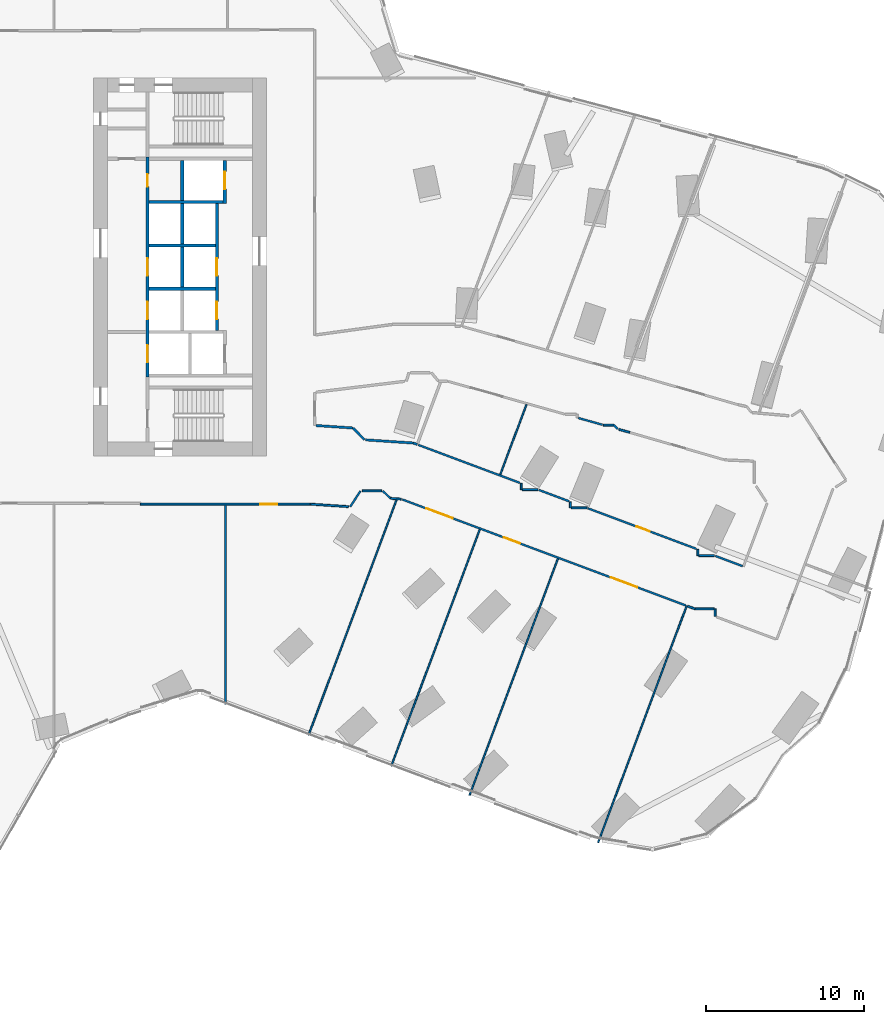
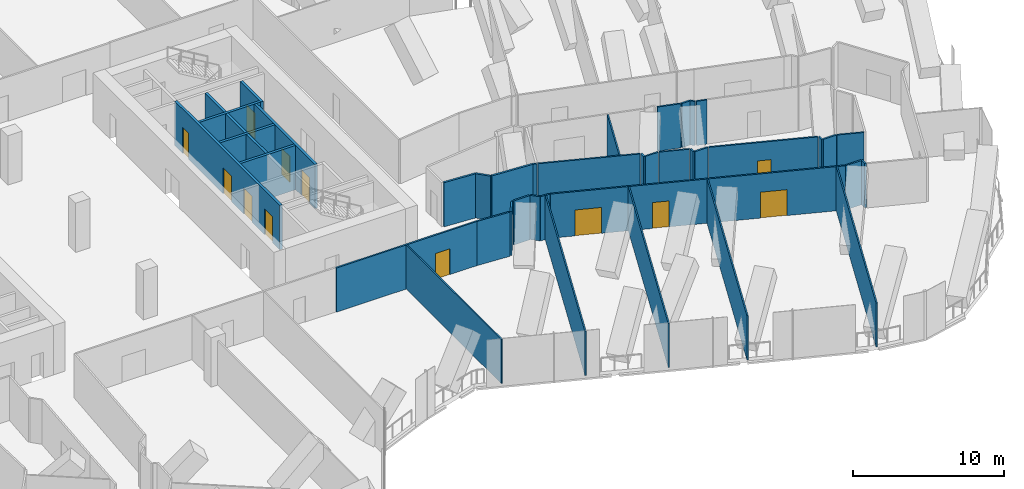
# One storey, part 28 of 34: 43 walls, 12 doors, 12 openings.
"""IFC4 building model written with IfcOpenShell, lengths in metres."""

from ifc_helpers import new_model, si_unit, direction, frame, frame_2d, origin, place, context, subcontext, project, spatial, rectangle, extrude, material, layer, layer_set, type_object, element, fill, save


model = new_model("IFC4")

# Units and contexts
model_context = context("Model", 3, precision=1e-05, world=origin(), true_north=direction((0.0, 1.0)))
body_context = subcontext(model_context, "Body", "Model", "MODEL_VIEW")
ifc_project = project(units=[si_unit("LENGTHUNIT", "METRE"), si_unit("AREAUNIT", "SQUARE_METRE"), si_unit("VOLUMEUNIT", "CUBIC_METRE"), si_unit("PLANEANGLEUNIT", "RADIAN"), si_unit("MASSUNIT", "GRAM", prefix="KILO")], contexts=[model_context])

# Site, building, storey
site_placement = place(None, origin())
site = spatial("IfcSite", under=ifc_project, at=site_placement, CompositionType="ELEMENT")
building_placement = place(site_placement, origin())
building = spatial("IfcBuilding", under=site, at=building_placement, Name="Orlundy Tower", CompositionType="ELEMENT")
storey_placement = place(building_placement, frame((0.0, 0.0, 98.199951171875)))
storey = spatial("IfcBuildingStorey", under=building, at=storey_placement, Name="L24", CompositionType="ELEMENT", Elevation=98.199951171875)

# Walls
ifc_material_1 = material(Name="Gypsum board partition")
ifc_layer_1 = layer(ifc_material_1, 0.10009765625)
ifc_layer_set_1 = layer_set([ifc_layer_1], Name="Floor partition 100")
wall_type_1 = type_object("IfcWallType", Name="Floor partition 100", PredefinedType="PARTITIONING", material=ifc_layer_set_1)
wall_1_placement = place(storey_placement, frame((40.0419921875, -36.531982421875, 0.0), z_axis=(0.0, 0.0, 1.0), x_axis=(0.350194472213, 0.936677015642, 0.0)))
element("IfcWall", 1, at=wall_1_placement, inside=storey, type_object=wall_type_1, Name="wall-int-L24-105", PredefinedType="PARTITIONING", context=body_context, shape_type="SweptSolid", body=[
    extrude(rectangle(XDim=16.045166015625, YDim=0.10009765625, at=frame_2d((8.0224609375, 0.0))), origin(), (0.0, 0.0, 1.0), 3.580078125),
])
for number, where, z_axis, x_axis, name in (
    (2, (31.8740234375, -33.535888671875, 0.0), (0.0, 0.0, 1.0), (0.350198982561, 0.93667532935, 0.0), "wall-int-L24-107"),
    (3, (26.909912109375, -31.679931640625, 0.0), (0.0, 0.0, 1.0), (0.350198982561, 0.93667532935, 0.0), "wall-int-L24-109"),
):
    element("IfcWall", number, at=place(storey_placement, frame(where, z_axis=z_axis, x_axis=x_axis)), inside=storey, type_object=wall_type_1, Name=name, PredefinedType="PARTITIONING", context=body_context, shape_type="SweptSolid", body=[
        extrude(rectangle(XDim=16.03662109375, YDim=0.10009765625, at=frame_2d((8.018310546875, 0.0))), origin(), (0.0, 0.0, 1.0), 3.580078125),
    ])
wall_2_placement = place(storey_placement, frame((33.8310546875, -13.1689453125, 0.0), z_axis=(0.0, 0.0, 1.0), x_axis=(0.35005805829, 0.936728005253, 0.0)))
element("IfcWall", 4, at=wall_2_placement, inside=storey, type_object=wall_type_1, Name="wall-int-L24-110", PredefinedType="PARTITIONING", context=body_context, shape_type="SweptSolid", body=[
    extrude(rectangle(XDim=4.747314453125, YDim=0.10009765625, at=frame_2d((2.37353515625, 0.0))), origin(), (0.0, 0.0, 1.0), 3.580078125),
])
wall_3_placement = place(storey_placement, frame((21.657958984375, -29.717041015625, 0.0), z_axis=(0.0, 0.0, 1.0), x_axis=(0.350179979245, 0.936682433985, 0.0)))
element("IfcWall", 5, at=wall_3_placement, inside=storey, type_object=wall_type_1, Name="wall-int-L24-112", PredefinedType="PARTITIONING", context=body_context, shape_type="SweptSolid", body=[
    extrude(rectangle(XDim=15.9404296875, YDim=0.10009765625, at=frame_2d((7.97021484375, 0.0))), origin(), (0.0, 0.0, 1.0), 3.580078125),
])
wall_4_placement = place(storey_placement, frame((16.385986328125, -27.74609375, 0.0), z_axis=(0.0, 0.0, 1.0), x_axis=(0.0, 1.0, 0.0)))
element("IfcWall", 6, at=wall_4_placement, inside=storey, type_object=wall_type_1, Name="wall-int-L24-136", PredefinedType="PARTITIONING", context=body_context, shape_type="SweptSolid", body=[
    extrude(rectangle(XDim=12.632080078125, YDim=0.10009765625, at=frame_2d((6.31591796875, 0.0))), origin(), (0.0, 0.0, 1.0), 3.580078125),
])
ifc_material_2 = material(Name="Gypsum board partition, double layer")
ifc_layer_2 = layer(ifc_material_2, 0.125)
ifc_layer_set_2 = layer_set([ifc_layer_2], Name="Floor partition 125")
wall_type_2 = type_object("IfcWallType", Name="Floor partition 125", PredefinedType="PARTITIONING", material=ifc_layer_set_2)
wall_5_placement = place(storey_placement, frame((45.7080078125, -21.52001953125, 0.0), z_axis=(0.0, 0.0, 1.0), x_axis=(0.936445862151, -0.350812125305, 0.0)))
element("IfcWall", 7, at=wall_5_placement, inside=storey, type_object=wall_type_2, Name="wall-int-L24-022", PredefinedType="PARTITIONING", context=body_context, shape_type="SweptSolid", body=[
    extrude(rectangle(XDim=0.515625, YDim=0.125, at=frame_2d((0.2578125, 0.0))), origin(), (0.0, 0.0, 1.0), 3.580078125),
])

# Wall, openings, doors
wall_6_placement = place(storey_placement, frame((45.614013671875, -21.485107421875, 0.0), z_axis=(0.0, 0.0, 1.0), x_axis=(-0.936670500211, 0.350211898761, 0.0)))
wall_6 = element("IfcWall", 8, at=wall_6_placement, inside=storey, type_object=wall_type_2, Name="wall-int-L24-023", PredefinedType="PARTITIONING", context=body_context, shape_type="SweptSolid", body=[
    extrude(rectangle(XDim=19.228759765625, YDim=0.125, at=frame_2d((9.6142578125, 0.0))), origin(), (0.0, 0.0, 1.0), 3.580078125),
])
opening_1_placement = place(wall_6_placement, frame((15.7998046875, 0.0, 0.0)))
opening_1 = element("IfcOpeningElement", 9, at=opening_1_placement, cuts=wall_6, Name="Opening 19108", PredefinedType="OPENING", context=body_context, shape_type="SweptSolid", body=[
    extrude(rectangle(XDim=1.800048828125, YDim=2.10009765625, at=frame_2d((0.89990234375, 1.050048828125))), frame((0.0, 0.072509765625, 0.0), z_axis=(0.0, -1.0, 0.0), x_axis=(1.0, 0.0, 0.0)), (0.0, 0.0, 1.0), 0.14501953125),
])
opening_2_placement = place(wall_6_placement, frame((11.25, 0.0, 0.0)))
opening_2 = element("IfcOpeningElement", 10, at=opening_2_placement, cuts=wall_6, Name="Opening 19109", PredefinedType="OPENING", context=body_context, shape_type="SweptSolid", body=[
    extrude(rectangle(XDim=1.10009765625, YDim=2.10009765625, at=frame_2d((0.550048828125, 1.050048828125))), frame((0.0, 0.072509765625, 0.0), z_axis=(0.0, -1.0, 0.0), x_axis=(1.0, 0.0, 0.0)), (0.0, 0.0, 1.0), 0.14501953125),
])
opening_3_placement = place(wall_6_placement, frame((3.300048828125, 0.0, 0.0)))
opening_3 = element("IfcOpeningElement", 11, at=opening_3_placement, cuts=wall_6, Name="Opening 19110", PredefinedType="OPENING", context=body_context, shape_type="SweptSolid", body=[
    extrude(rectangle(XDim=1.800048828125, YDim=2.10009765625, at=frame_2d((0.89990234375, 1.050048828125))), frame((0.0, 0.072509765625, 0.0), z_axis=(0.0, -1.0, 0.0), x_axis=(1.0, 0.0, 0.0)), (0.0, 0.0, 1.0), 0.14501953125),
])
ifc_material_3 = material(Name="Timber door leaf", Category="wood")
door_type_1 = type_object("IfcDoorType", Name="Floor door double 1800 FD30S", OperationType="NOTDEFINED", PredefinedType="DOOR", material=ifc_material_3)
door_1_placement = place(opening_1_placement, origin())
door_1 = element("IfcDoor", 12, at=door_1_placement, inside=storey, type_object=door_type_1, Name="Door 19108", OperationType="DOUBLE_DOOR_SINGLE_SWING", OverallHeight=2.10009765625, OverallWidth=1.800048828125, PredefinedType="DOOR", context=body_context, shape_type="SweptSolid", body=[
    extrude(rectangle(XDim=1.800048828125, YDim=2.10009765625, at=frame_2d((0.89990234375, 1.050048828125))), frame((0.0, 0.02490234375, 0.0), z_axis=(0.0, -1.0, 0.0), x_axis=(1.0, 0.0, 0.0)), (0.0, 0.0, 1.0), 0.050048828125),
])
fill(opening_1, door_1)
door_2_placement = place(opening_3_placement, origin())
door_2 = element("IfcDoor", 13, at=door_2_placement, inside=storey, type_object=door_type_1, Name="Door 19110", OperationType="DOUBLE_DOOR_SINGLE_SWING", OverallHeight=2.10009765625, OverallWidth=1.800048828125, PredefinedType="DOOR", context=body_context, shape_type="SweptSolid", body=[
    extrude(rectangle(XDim=1.800048828125, YDim=2.10009765625, at=frame_2d((0.89990234375, 1.050048828125))), frame((0.0, 0.02490234375, 0.0), z_axis=(0.0, -1.0, 0.0), x_axis=(1.0, 0.0, 0.0)), (0.0, 0.0, 1.0), 0.050048828125),
])
fill(opening_3, door_2)
ifc_material_4 = material(Name="Timber door leaf", Category="wood")
door_type_2 = type_object("IfcDoorType", Name="Floor door xwide 1100 FD30S", OperationType="NOTDEFINED", PredefinedType="DOOR", material=ifc_material_4)
door_3_placement = place(opening_2_placement, origin())
door_3 = element("IfcDoor", 14, at=door_3_placement, inside=storey, type_object=door_type_2, Name="Door 19109", OperationType="SINGLE_SWING_RIGHT", OverallHeight=2.10009765625, OverallWidth=1.10009765625, PredefinedType="DOOR", context=body_context, shape_type="SweptSolid", body=[
    extrude(rectangle(XDim=1.10009765625, YDim=2.10009765625, at=frame_2d((0.550048828125, 1.050048828125))), frame((0.0, 0.02490234375, 0.0), z_axis=(0.0, -1.0, 0.0), x_axis=(1.0, 0.0, 0.0)), (0.0, 0.0, 1.0), 0.050048828125),
])
fill(opening_2, door_3)

# Walls
wall_7_placement = place(storey_placement, frame((28.626953125, -11.2900390625, 0.0), z_axis=(0.0, 0.0, 1.0), x_axis=(0.936621788465, -0.350342154718, 0.0)))
element("IfcWall", 15, at=wall_7_placement, inside=storey, type_object=wall_type_2, Name="wall-int-L24-025", PredefinedType="PARTITIONING", context=body_context, shape_type="SweptSolid", body=[
    extrude(rectangle(XDim=6.88427734375, YDim=0.125, at=frame_2d((3.442138671875, 0.0))), origin(), (0.0, 0.0, 1.0), 3.580078125),
])
wall_8_placement = place(storey_placement, frame((36.27587890625, -14.14990234375, 0.0), z_axis=(0.0, 0.0, 1.0), x_axis=(0.936773399127, -0.349936563805, 0.0)))
element("IfcWall", 16, at=wall_8_placement, inside=storey, type_object=wall_type_2, Name="wall-int-L24-026", PredefinedType="PARTITIONING", context=body_context, shape_type="SweptSolid", body=[
    extrude(rectangle(XDim=2.0517578125, YDim=0.125, at=frame_2d((1.02587890625, 0.0))), origin(), (0.0, 0.0, 1.0), 3.580078125),
])

# Wall, opening, door
wall_9_placement = place(storey_placement, frame((39.39697265625, -15.31689453125, 0.0), z_axis=(0.0, 0.0, 1.0), x_axis=(0.936687629124, -0.350166082662, 0.0)))
wall_9 = element("IfcWall", 17, at=wall_9_placement, inside=storey, type_object=wall_type_2, Name="wall-int-L24-027", PredefinedType="PARTITIONING", context=body_context, shape_type="SweptSolid", body=[
    extrude(rectangle(XDim=7.351318359375, YDim=0.125, at=frame_2d((3.67578125, 0.0))), origin(), (0.0, 0.0, 1.0), 3.580078125),
])
opening_4_placement = place(wall_9_placement, frame((3.28759765625, 0.0, 0.0)))
opening_4 = element("IfcOpeningElement", 18, at=opening_4_placement, cuts=wall_9, Name="Opening 19104", PredefinedType="OPENING", context=body_context, shape_type="SweptSolid", body=[
    extrude(rectangle(XDim=0.89990234375, YDim=2.10009765625, at=frame_2d((0.449951171875, 1.050048828125))), frame((0.0, 0.072509765625, 0.0), z_axis=(0.0, -1.0, 0.0), x_axis=(1.0, 0.0, 0.0)), (0.0, 0.0, 1.0), 0.14501953125),
])
ifc_material_5 = material(Name="Timber door leaf", Category="wood")
door_type_3 = type_object("IfcDoorType", Name="Floor door single 900 FD30S", OperationType="NOTDEFINED", PredefinedType="DOOR", material=ifc_material_5)
door_4_placement = place(opening_4_placement, origin())
door_4 = element("IfcDoor", 19, at=door_4_placement, inside=storey, type_object=door_type_3, Name="Door 19104", OperationType="SINGLE_SWING_RIGHT", OverallHeight=2.10009765625, OverallWidth=0.89990234375, PredefinedType="DOOR", context=body_context, shape_type="SweptSolid", body=[
    extrude(rectangle(XDim=0.89990234375, YDim=2.10009765625, at=frame_2d((0.449951171875, 1.050048828125))), frame((0.0, 0.02490234375, 0.0), z_axis=(0.0, -1.0, 0.0), x_axis=(1.0, 0.0, 0.0)), (0.0, 0.0, 1.0), 0.050048828125),
])
fill(opening_4, door_4)

# Walls
wall_10_placement = place(storey_placement, frame((47.485107421875, -18.341064453125, 0.0), z_axis=(0.0, 0.0, 1.0), x_axis=(0.936651330255, -0.350263166107, 0.0)))
element("IfcWall", 20, at=wall_10_placement, inside=storey, type_object=wall_type_2, Name="wall-int-L24-028", PredefinedType="PARTITIONING", context=body_context, shape_type="SweptSolid", body=[
    extrude(rectangle(XDim=1.835205078125, YDim=0.125, at=frame_2d((0.91748046875, 0.0))), origin(), (0.0, 0.0, 1.0), 3.580078125),
])
wall_11_placement = place(storey_placement, frame((38.783935546875, -9.58203125, 0.0), z_axis=(0.0, 0.0, 1.0), x_axis=(0.962714723357, -0.270518689617, 0.0)))
element("IfcWall", 21, at=wall_11_placement, inside=storey, type_object=wall_type_2, Name="wall-int-L24-034", PredefinedType="PARTITIONING", context=body_context, shape_type="SweptSolid", body=[
    extrude(rectangle(XDim=1.58935546875, YDim=0.125, at=frame_2d((0.794677734375, 0.0))), origin(), (0.0, 0.0, 1.0), 3.580078125),
])
wall_12_placement = place(storey_placement, frame((41.363037109375, -10.306884765625, 0.0), z_axis=(0.0, 0.0, 1.0), x_axis=(0.962589533882, -0.270963815409, 0.0)))
element("IfcWall", 22, at=wall_12_placement, inside=storey, type_object=wall_type_2, Name="wall-int-L24-035", PredefinedType="PARTITIONING", context=body_context, shape_type="SweptSolid", body=[
    extrude(rectangle(XDim=0.712646484375, YDim=0.125, at=frame_2d((0.3564453125, 0.0))), origin(), (0.0, 0.0, 1.0), 3.580078125),
])
wall_13_placement = place(storey_placement, frame((21.780029296875, -15.051025390625, 0.0), z_axis=(0.0, 0.0, 1.0), x_axis=(0.997844957002, -0.065615865354, 0.0)))
element("IfcWall", 23, at=wall_13_placement, inside=storey, type_object=wall_type_2, Name="wall-int-L24-042", PredefinedType="PARTITIONING", context=body_context, shape_type="SweptSolid", body=[
    extrude(rectangle(XDim=2.422119140625, YDim=0.125, at=frame_2d((1.2109375, 0.0))), origin(), (0.0, 0.0, 1.0), 3.580078125),
])
wall_14_placement = place(storey_placement, frame((26.867919921875, -14.68505859375, 0.0), z_axis=(0.0, 0.0, 1.0), x_axis=(0.997875504675, -0.065149652101, 0.0)))
element("IfcWall", 24, at=wall_14_placement, inside=storey, type_object=wall_type_2, Name="wall-int-L24-046", PredefinedType="PARTITIONING", context=body_context, shape_type="SweptSolid", body=[
    extrude(rectangle(XDim=0.674560546875, YDim=0.125, at=frame_2d((0.33740234375, 0.0))), origin(), (0.0, 0.0, 1.0), 3.580078125),
])
wall_15_placement = place(storey_placement, frame((46.19091796875, -21.700927734375, 0.0), z_axis=(0.0, 0.0, 1.0), x_axis=(1.0, 0.0, 0.0)))
element("IfcWall", 25, at=wall_15_placement, inside=storey, type_object=wall_type_2, Name="wall-int-L24-058", PredefinedType="PARTITIONING", context=body_context, shape_type="SweptSolid", body=[
    extrude(rectangle(XDim=1.213134765625, YDim=0.125, at=frame_2d((0.6064453125, 0.0))), origin(), (0.0, 0.0, 1.0), 3.580078125),
])
wall_16_placement = place(storey_placement, frame((46.430908203125, -18.318115234375, 0.0), z_axis=(0.0, 0.0, 1.0), x_axis=(1.0, 0.0, 0.0)))
element("IfcWall", 26, at=wall_16_placement, inside=storey, type_object=wall_type_2, Name="wall-int-L24-059", PredefinedType="PARTITIONING", context=body_context, shape_type="SweptSolid", body=[
    extrude(rectangle(XDim=0.9951171875, YDim=0.125, at=frame_2d((0.49755859375, 0.0))), origin(), (0.0, 0.0, 1.0), 3.580078125),
])
wall_17_placement = place(storey_placement, frame((38.345947265625, -15.2939453125, 0.0), z_axis=(0.0, 0.0, 1.0), x_axis=(1.0, 0.0, 0.0)))
element("IfcWall", 27, at=wall_17_placement, inside=storey, type_object=wall_type_2, Name="wall-int-L24-060", PredefinedType="PARTITIONING", context=body_context, shape_type="SweptSolid", body=[
    extrude(rectangle(XDim=0.990966796875, YDim=0.125, at=frame_2d((0.49560546875, 0.0))), origin(), (0.0, 0.0, 1.0), 3.580078125),
])

# Wall, opening, door
wall_18_placement = place(storey_placement, frame((21.780029296875, -15.051025390625, 0.0), z_axis=(0.0, 0.0, 1.0), x_axis=(-1.0, 0.0, 0.0)))
wall_18 = element("IfcWall", 28, at=wall_18_placement, inside=storey, type_object=wall_type_2, Name="wall-int-L24-062", PredefinedType="PARTITIONING", context=body_context, shape_type="SweptSolid", body=[
    extrude(rectangle(XDim=10.7890625, YDim=0.125, at=frame_2d((5.39453125, 0.0))), origin(), (0.0, 0.0, 1.0), 3.580078125),
])
opening_5_placement = place(wall_18_placement, frame((2.10009765625, 0.0, 0.0)))
opening_5 = element("IfcOpeningElement", 29, at=opening_5_placement, cuts=wall_18, Name="Opening 19129", PredefinedType="OPENING", context=body_context, shape_type="SweptSolid", body=[
    extrude(rectangle(XDim=1.10009765625, YDim=2.10009765625, at=frame_2d((0.550048828125, 1.050048828125))), frame((0.0, 0.072509765625, 0.0), z_axis=(0.0, -1.0, 0.0), x_axis=(1.0, 0.0, 0.0)), (0.0, 0.0, 1.0), 0.14501953125),
])
door_5_placement = place(opening_5_placement, origin())
door_5 = element("IfcDoor", 30, at=door_5_placement, inside=storey, type_object=door_type_2, Name="Door 19129", OperationType="SINGLE_SWING_LEFT", OverallHeight=2.10009765625, OverallWidth=1.10009765625, PredefinedType="DOOR", context=body_context, shape_type="SweptSolid", body=[
    extrude(rectangle(XDim=1.10009765625, YDim=2.10009765625, at=frame_2d((0.550048828125, 1.050048828125))), frame((0.0, 0.02490234375, 0.0), z_axis=(0.0, -1.0, 0.0), x_axis=(1.0, 0.0, 0.0)), (0.0, 0.0, 1.0), 0.050048828125),
])
fill(opening_5, door_5)

# Walls
wall_19_placement = place(storey_placement, frame((25.071044921875, -14.2119140625, 0.0), z_axis=(0.0, 0.0, 1.0), x_axis=(1.0, 0.0, 0.0)))
element("IfcWall", 31, at=wall_19_placement, inside=storey, type_object=wall_type_2, Name="wall-int-L24-064", PredefinedType="PARTITIONING", context=body_context, shape_type="SweptSolid", body=[
    extrude(rectangle(XDim=1.23388671875, YDim=0.125, at=frame_2d((0.616943359375, 0.0))), origin(), (0.0, 0.0, 1.0), 3.580078125),
])
wall_20_placement = place(storey_placement, frame((35.22412109375, -14.126953125, 0.0), z_axis=(0.0, 0.0, 1.0), x_axis=(1.0, 0.0, 0.0)))
element("IfcWall", 32, at=wall_20_placement, inside=storey, type_object=wall_type_2, Name="wall-int-L24-065", PredefinedType="PARTITIONING", context=body_context, shape_type="SweptSolid", body=[
    extrude(rectangle(XDim=0.990966796875, YDim=0.125, at=frame_2d((0.49560546875, 0.0))), origin(), (0.0, 0.0, 1.0), 3.580078125),
])
wall_21_placement = place(storey_placement, frame((40.3740234375, -10.029052734375, 0.0), z_axis=(0.0, 0.0, 1.0), x_axis=(1.0, 0.0, 0.0)))
element("IfcWall", 33, at=wall_21_placement, inside=storey, type_object=wall_type_2, Name="wall-int-L24-067", PredefinedType="PARTITIONING", context=body_context, shape_type="SweptSolid", body=[
    extrude(rectangle(XDim=0.666015625, YDim=0.125, at=frame_2d((0.3330078125, 0.0))), origin(), (0.0, 0.0, 1.0), 3.580078125),
])
wall_22_placement = place(storey_placement, frame((24.302978515625, -15.217041015625, 0.0), z_axis=(0.0, 0.0, 1.0), x_axis=(0.544837999729, 0.83854132519, 0.0)))
element("IfcWall", 34, at=wall_22_placement, inside=storey, type_object=wall_type_2, Name="wall-int-L24-102", PredefinedType="PARTITIONING", context=body_context, shape_type="SweptSolid", body=[
    extrude(rectangle(XDim=1.19873046875, YDim=0.125, at=frame_2d((0.599365234375, 0.0))), origin(), (0.0, 0.0, 1.0), 3.580078125),
])
wall_23_placement = place(storey_placement, frame((47.467041015625, -22.177978515625, 0.0), z_axis=(0.0, 0.0, 1.0), x_axis=(0.0, 1.0, 0.0)))
element("IfcWall", 35, at=wall_23_placement, inside=storey, type_object=wall_type_2, Name="wall-int-L24-125", PredefinedType="PARTITIONING", context=body_context, shape_type="SweptSolid", body=[
    extrude(rectangle(XDim=0.47705078125, YDim=0.125, at=frame_2d((0.238525390625, 0.0))), origin(), (0.0, 0.0, 1.0), 3.580078125),
])
wall_24_placement = place(storey_placement, frame((46.368896484375, -18.318115234375, 0.0), z_axis=(0.0, 0.0, 1.0), x_axis=(0.0, 1.0, 0.0)))
element("IfcWall", 36, at=wall_24_placement, inside=storey, type_object=wall_type_2, Name="wall-int-L24-126", PredefinedType="PARTITIONING", context=body_context, shape_type="SweptSolid", body=[
    extrude(rectangle(XDim=0.39404296875, YDim=0.125, at=frame_2d((0.197021484375, 0.0))), origin(), (0.0, 0.0, 1.0), 3.580078125),
])
wall_25_placement = place(storey_placement, frame((41.281982421875, -10.284912109375, 0.0), z_axis=(0.0, 0.0, 1.0), x_axis=(-0.68707128389, 0.726590015658, 0.0)))
element("IfcWall", 37, at=wall_25_placement, inside=storey, type_object=wall_type_2, Name="wall-int-L24-127", PredefinedType="PARTITIONING", context=body_context, shape_type="SweptSolid", body=[
    extrude(rectangle(XDim=0.35205078125, YDim=0.125, at=frame_2d((0.176025390625, 0.0))), origin(), (0.0, 0.0, 1.0), 3.580078125),
])
for number, where, z_axis, x_axis, name in (
    (38, (38.282958984375, -15.2939453125, 0.0), (0.0, 0.0, 1.0), (0.0, 1.0, 0.0), "wall-int-L24-129"),
    (39, (35.160888671875, -14.126953125, 0.0), (0.0, 0.0, 1.0), (0.0, 1.0, 0.0), "wall-int-L24-130"),
):
    element("IfcWall", number, at=place(storey_placement, frame(where, z_axis=z_axis, x_axis=x_axis)), inside=storey, type_object=wall_type_2, Name=name, PredefinedType="PARTITIONING", context=body_context, shape_type="SweptSolid", body=[
        extrude(rectangle(XDim=0.39404296875, YDim=0.125, at=frame_2d((0.197021484375, 0.0))), origin(), (0.0, 0.0, 1.0), 3.580078125),
    ])
wall_26_placement = place(storey_placement, frame((26.867919921875, -14.68505859375, 0.0), z_axis=(0.0, 0.0, 1.0), x_axis=(-0.72701315255, 0.686623532964, 0.0)))
element("IfcWall", 40, at=wall_26_placement, inside=storey, type_object=wall_type_2, Name="wall-int-L24-132", PredefinedType="PARTITIONING", context=body_context, shape_type="SweptSolid", body=[
    extrude(rectangle(XDim=0.689208984375, YDim=0.125, at=frame_2d((0.3447265625, 0.0))), origin(), (0.0, 0.0, 1.0), 3.580078125),
])
ifc_material_6 = material(Name="Blockwork shaft wall", Category="masonry")
ifc_layer_3 = layer(ifc_material_6, 0.14990234375)
ifc_layer_set_3 = layer_set([ifc_layer_3], Name="Floor shaft wall 150")
wall_type_3 = type_object("IfcWallType", Name="Floor shaft wall 150", PredefinedType="PARTITIONING", material=ifc_layer_set_3)
wall_27_placement = place(storey_placement, frame((28.30908203125, -11.1708984375, 0.0), z_axis=(0.0, 0.0, 1.0), x_axis=(0.936215410416, -0.351426671299, 0.0)))
element("IfcWall", 41, at=wall_27_placement, inside=storey, type_object=wall_type_3, Name="wall-int-L24-021", PredefinedType="PARTITIONING", context=body_context, shape_type="SweptSolid", body=[
    extrude(rectangle(XDim=0.2646484375, YDim=0.14990234375, at=frame_2d((0.13232421875, 0.0))), origin(), (0.0, 0.0, 1.0), 3.580078125),
])
wall_28_placement = place(storey_placement, frame((25.283935546875, -10.971923828125, 0.0), z_axis=(0.0, 0.0, 1.0), x_axis=(0.997843913532, -0.065631731864, 0.0)))
element("IfcWall", 42, at=wall_28_placement, inside=storey, type_object=wall_type_3, Name="wall-int-L24-043", PredefinedType="PARTITIONING", context=body_context, shape_type="SweptSolid", body=[
    extrude(rectangle(XDim=3.03173828125, YDim=0.14990234375, at=frame_2d((1.515869140625, 0.0))), origin(), (0.0, 0.0, 1.0), 3.580078125),
])
wall_29_placement = place(storey_placement, frame((22.1259765625, -10.06103515625, 0.0), z_axis=(0.0, 0.0, 1.0), x_axis=(0.99781479722, -0.06607291766, 0.0)))
element("IfcWall", 43, at=wall_29_placement, inside=storey, type_object=wall_type_3, Name="wall-int-L24-044", PredefinedType="PARTITIONING", context=body_context, shape_type="SweptSolid", body=[
    extrude(rectangle(XDim=2.361083984375, YDim=0.14990234375, at=frame_2d((1.1806640625, 0.0))), origin(), (0.0, 0.0, 1.0), 3.580078125),
])
wall_30_placement = place(storey_placement, frame((25.208984375, -10.967041015625, 0.0), z_axis=(0.0, 0.0, 1.0), x_axis=(-0.696036320716, 0.718006573956, 0.0)))
element("IfcWall", 44, at=wall_30_placement, inside=storey, type_object=wall_type_3, Name="wall-int-L24-116", PredefinedType="PARTITIONING", context=body_context, shape_type="SweptSolid", body=[
    extrude(rectangle(XDim=1.044677734375, YDim=0.14990234375, at=frame_2d((0.5224609375, 0.0))), origin(), (0.0, 0.0, 1.0), 3.580078125),
])
ifc_material_7 = material(Name="Fire-rated blockwork shaft wall", Category="masonry")
ifc_layer_4 = layer(ifc_material_7, 0.199951171875)
ifc_layer_set_4 = layer_set([ifc_layer_4], Name="Shaft Wall 200")
wall_type_4 = type_object("IfcWallType", Name="Shaft Wall 200", PredefinedType="SOLIDWALL", material=ifc_layer_set_4)
wall_31_placement = place(storey_placement, frame((11.5400390625, 4.125, 0.0), z_axis=(0.0, 0.0, 1.0), x_axis=(1.0, 0.0, 0.0)))
element("IfcWall", 45, at=wall_31_placement, inside=storey, type_object=wall_type_4, Name="Shaft wall E19-cross-4.125", PredefinedType="SOLIDWALL", context=body_context, shape_type="SweptSolid", body=[
    extrude(rectangle(XDim=4.699951171875, YDim=0.199951171875, at=frame_2d((2.35009765625, 0.0))), origin(), (0.0, 0.0, 1.0), 3.590087890625),
])
for number, where, z_axis, x_axis, name in (
    (46, (11.5400390625, 1.375, 0.0), (0.0, 0.0, 1.0), (1.0, 0.0, 0.0), "Shaft wall E19-cross-1.375"),
    (47, (11.5400390625, -1.375, 0.0), (0.0, 0.0, 1.0), (1.0, 0.0, 0.0), "Shaft wall E19-cross+1.375"),
):
    element("IfcWall", number, at=place(storey_placement, frame(where, z_axis=z_axis, x_axis=x_axis)), inside=storey, type_object=wall_type_4, Name=name, PredefinedType="SOLIDWALL", context=body_context, shape_type="SweptSolid", body=[
        extrude(rectangle(XDim=4.199951171875, YDim=0.199951171875, at=frame_2d((2.10009765625, 0.0))), origin(), (0.0, 0.0, 1.0), 3.590087890625),
    ])

# Wall, openings, doors
wall_32_placement = place(storey_placement, frame((11.43994140625, 6.97509765625, 0.0), z_axis=(0.0, 0.0, 1.0), x_axis=(0.0, -1.0, 0.0)))
wall_32 = element("IfcWall", 48, at=wall_32_placement, inside=storey, type_object=wall_type_4, Name="Shaft wall E19-front-h", PredefinedType="SOLIDWALL", context=body_context, shape_type="SweptSolid", body=[
    extrude(rectangle(XDim=13.9501953125, YDim=0.199951171875, at=frame_2d((6.97509765625, 0.0))), origin(), (0.0, 0.0, 1.0), 3.590087890625),
])
opening_6_placement = place(wall_32_placement, frame((6.425048828125, 0.0, 0.0)))
opening_6 = element("IfcOpeningElement", 49, at=opening_6_placement, cuts=wall_32, Name="Opening 19051", PredefinedType="OPENING", context=body_context, shape_type="SweptSolid", body=[
    extrude(rectangle(XDim=1.10009765625, YDim=2.10009765625, at=frame_2d((0.550048828125, 1.050048828125))), frame((0.0, 0.110107421875, 0.0), z_axis=(0.0, -1.0, 0.0), x_axis=(1.0, 0.0, 0.0)), (0.0, 0.0, 1.0), 0.22021484375),
])
opening_7_placement = place(wall_32_placement, frame((9.175048828125, 0.0, 0.0)))
opening_7 = element("IfcOpeningElement", 50, at=opening_7_placement, cuts=wall_32, Name="Opening 19053", PredefinedType="OPENING", context=body_context, shape_type="SweptSolid", body=[
    extrude(rectangle(XDim=1.10009765625, YDim=2.10009765625, at=frame_2d((0.550048828125, 1.050048828125))), frame((0.0, 0.110107421875, 0.0), z_axis=(0.0, -1.0, 0.0), x_axis=(1.0, 0.0, 0.0)), (0.0, 0.0, 1.0), 0.22021484375),
])
opening_8_placement = place(wall_32_placement, frame((11.925048828125, 0.0, 0.0)))
opening_8 = element("IfcOpeningElement", 51, at=opening_8_placement, cuts=wall_32, Name="Opening 19055", PredefinedType="OPENING", context=body_context, shape_type="SweptSolid", body=[
    extrude(rectangle(XDim=1.10009765625, YDim=2.10009765625, at=frame_2d((0.550048828125, 1.050048828125))), frame((0.0, 0.110107421875, 0.0), z_axis=(0.0, -1.0, 0.0), x_axis=(1.0, 0.0, 0.0)), (0.0, 0.0, 1.0), 0.22021484375),
])
opening_9_placement = place(wall_32_placement, frame((1.074951171875, 0.0, 0.0)))
opening_9 = element("IfcOpeningElement", 52, at=opening_9_placement, cuts=wall_32, Name="Opening 19057", PredefinedType="OPENING", context=body_context, shape_type="SweptSolid", body=[
    extrude(rectangle(XDim=0.800048828125, YDim=2.10009765625, at=frame_2d((0.39990234375, 1.050048828125))), frame((0.0, 0.110107421875, 0.0), z_axis=(0.0, -1.0, 0.0), x_axis=(1.0, 0.0, 0.0)), (0.0, 0.0, 1.0), 0.22021484375),
])
ifc_material_8 = material(Name="Steel door set", Category="steel")
door_type_4 = type_object("IfcDoorType", Name="Landing Door 1100x2100", OperationType="DOUBLE_DOOR_SLIDING", PredefinedType="DOOR", material=ifc_material_8)
door_6_placement = place(opening_6_placement, origin())
door_6 = element("IfcDoor", 53, at=door_6_placement, inside=storey, type_object=door_type_4, Name="Lift landing door LP-10 19051", OperationType="DOUBLE_DOOR_SLIDING", OverallHeight=2.10009765625, OverallWidth=1.10009765625, PredefinedType="DOOR", context=body_context, shape_type="SweptSolid", body=[
    extrude(rectangle(XDim=1.10009765625, YDim=2.10009765625, at=frame_2d((0.550048828125, 1.050048828125))), frame((0.0, 0.02490234375, 0.0), z_axis=(0.0, -1.0, 0.0), x_axis=(1.0, 0.0, 0.0)), (0.0, 0.0, 1.0), 0.050048828125),
])
fill(opening_6, door_6)
door_7_placement = place(opening_7_placement, origin())
door_7 = element("IfcDoor", 54, at=door_7_placement, inside=storey, type_object=door_type_4, Name="Lift landing door LP-07 19053", OperationType="DOUBLE_DOOR_SLIDING", OverallHeight=2.10009765625, OverallWidth=1.10009765625, PredefinedType="DOOR", context=body_context, shape_type="SweptSolid", body=[
    extrude(rectangle(XDim=1.10009765625, YDim=2.10009765625, at=frame_2d((0.550048828125, 1.050048828125))), frame((0.0, 0.02490234375, 0.0), z_axis=(0.0, -1.0, 0.0), x_axis=(1.0, 0.0, 0.0)), (0.0, 0.0, 1.0), 0.050048828125),
])
fill(opening_7, door_7)
door_8_placement = place(opening_8_placement, origin())
door_8 = element("IfcDoor", 55, at=door_8_placement, inside=storey, type_object=door_type_4, Name="Lift landing door FL2 19055", OperationType="DOUBLE_DOOR_SLIDING", OverallHeight=2.10009765625, OverallWidth=1.10009765625, PredefinedType="DOOR", context=body_context, shape_type="SweptSolid", body=[
    extrude(rectangle(XDim=1.10009765625, YDim=2.10009765625, at=frame_2d((0.550048828125, 1.050048828125))), frame((0.0, 0.02490234375, 0.0), z_axis=(0.0, -1.0, 0.0), x_axis=(1.0, 0.0, 0.0)), (0.0, 0.0, 1.0), 0.050048828125),
])
fill(opening_8, door_8)
ifc_material_9 = material(Name="Timber door set", Category="wood")
door_type_5 = type_object("IfcDoorType", Name="Riser Door 800x2100", OperationType="SINGLE_SWING_LEFT", PredefinedType="DOOR", material=ifc_material_9)
door_9_placement = place(opening_9_placement, origin())
door_9 = element("IfcDoor", 56, at=door_9_placement, inside=storey, type_object=door_type_5, Name="Pantry Store door 19057", OperationType="SINGLE_SWING_LEFT", OverallHeight=2.10009765625, OverallWidth=0.800048828125, PredefinedType="DOOR", context=body_context, shape_type="SweptSolid", body=[
    extrude(rectangle(XDim=0.800048828125, YDim=2.10009765625, at=frame_2d((0.39990234375, 1.050048828125))), frame((0.0, 0.02490234375, 0.0), z_axis=(0.0, -1.0, 0.0), x_axis=(1.0, 0.0, 0.0)), (0.0, 0.0, 1.0), 0.050048828125),
])
fill(opening_9, door_9)

# Walls
for number, where, z_axis, x_axis, name in (
    (57, (13.639892578125, 6.77490234375, 0.0), (0.0, 0.0, 1.0), (0.0, -1.0, 0.0), "Shaft wall E19-mid-a"),
    (58, (13.639892578125, 4.02490234375, 0.0), (0.0, 0.0, 1.0), (0.0, -1.0, 0.0), "Shaft wall E19-mid-a.1"),
    (59, (13.639892578125, 1.27490234375, 0.0), (0.0, 0.0, 1.0), (0.0, -1.0, 0.0), "Shaft wall E19-mid-a.2"),
):
    element("IfcWall", number, at=place(storey_placement, frame(where, z_axis=z_axis, x_axis=x_axis)), inside=storey, type_object=wall_type_4, Name=name, PredefinedType="SOLIDWALL", context=body_context, shape_type="SweptSolid", body=[
        extrude(rectangle(XDim=2.5498046875, YDim=0.199951171875, at=frame_2d((1.27490234375, 0.0))), origin(), (0.0, 0.0, 1.0), 3.590087890625),
    ])

# Wall, opening, door
wall_33_placement = place(storey_placement, frame((16.340087890625, 6.77490234375, 0.0), z_axis=(0.0, 0.0, 1.0), x_axis=(0.0, -1.0, 0.0)))
wall_33 = element("IfcWall", 60, at=wall_33_placement, inside=storey, type_object=wall_type_4, Name="Shaft wall E19-front-o-a", PredefinedType="SOLIDWALL", context=body_context, shape_type="SweptSolid", body=[
    extrude(rectangle(XDim=2.75, YDim=0.199951171875, at=frame_2d((1.375, 0.0))), origin(), (0.0, 0.0, 1.0), 3.590087890625),
])
opening_10_placement = place(wall_33_placement, frame((0.72509765625, 0.0, 0.0)))
opening_10 = element("IfcOpeningElement", 61, at=opening_10_placement, cuts=wall_33, Name="Opening 19050", PredefinedType="OPENING", context=body_context, shape_type="SweptSolid", body=[
    extrude(rectangle(XDim=1.10009765625, YDim=2.10009765625, at=frame_2d((0.550048828125, 1.050048828125))), frame((0.0, 0.110107421875, 0.0), z_axis=(0.0, -1.0, 0.0), x_axis=(1.0, 0.0, 0.0)), (0.0, 0.0, 1.0), 0.22021484375),
])
door_10_placement = place(opening_10_placement, origin())
door_10 = element("IfcDoor", 62, at=door_10_placement, inside=storey, type_object=door_type_4, Name="Lift landing door LV-02 19050", OperationType="DOUBLE_DOOR_SLIDING", OverallHeight=2.10009765625, OverallWidth=1.10009765625, PredefinedType="DOOR", context=body_context, shape_type="SweptSolid", body=[
    extrude(rectangle(XDim=1.10009765625, YDim=2.10009765625, at=frame_2d((0.550048828125, 1.050048828125))), frame((0.0, 0.02490234375, 0.0), z_axis=(0.0, -1.0, 0.0), x_axis=(1.0, 0.0, 0.0)), (0.0, 0.0, 1.0), 0.050048828125),
])
fill(opening_10, door_10)

# Wall, openings, doors
wall_34_placement = place(storey_placement, frame((15.840087890625, 4.02490234375, 0.0), z_axis=(0.0, 0.0, 1.0), x_axis=(0.0, -1.0, 0.0)))
wall_34 = element("IfcWall", 63, at=wall_34_placement, inside=storey, type_object=wall_type_4, Name="Shaft wall E19-front-o-b", PredefinedType="SOLIDWALL", context=body_context, shape_type="SweptSolid", body=[
    extrude(rectangle(XDim=8.0498046875, YDim=0.199951171875, at=frame_2d((4.02490234375, 0.0))), origin(), (0.0, 0.0, 1.0), 3.590087890625),
])
opening_11_placement = place(wall_34_placement, frame((3.47509765625, 0.0, 0.0)))
opening_11 = element("IfcOpeningElement", 64, at=opening_11_placement, cuts=wall_34, Name="Opening 19052", PredefinedType="OPENING", context=body_context, shape_type="SweptSolid", body=[
    extrude(rectangle(XDim=1.10009765625, YDim=2.10009765625, at=frame_2d((0.550048828125, 1.050048828125))), frame((0.0, 0.110107421875, 0.0), z_axis=(0.0, -1.0, 0.0), x_axis=(1.0, 0.0, 0.0)), (0.0, 0.0, 1.0), 0.22021484375),
])
opening_12_placement = place(wall_34_placement, frame((6.22509765625, 0.0, 0.0)))
opening_12 = element("IfcOpeningElement", 65, at=opening_12_placement, cuts=wall_34, Name="Opening 19054", PredefinedType="OPENING", context=body_context, shape_type="SweptSolid", body=[
    extrude(rectangle(XDim=1.10009765625, YDim=2.10009765625, at=frame_2d((0.550048828125, 1.050048828125))), frame((0.0, 0.110107421875, 0.0), z_axis=(0.0, -1.0, 0.0), x_axis=(1.0, 0.0, 0.0)), (0.0, 0.0, 1.0), 0.22021484375),
])
door_11_placement = place(opening_11_placement, origin())
door_11 = element("IfcDoor", 66, at=door_11_placement, inside=storey, type_object=door_type_4, Name="Lift landing door LP-06 19052", OperationType="DOUBLE_DOOR_SLIDING", OverallHeight=2.10009765625, OverallWidth=1.10009765625, PredefinedType="DOOR", context=body_context, shape_type="SweptSolid", body=[
    extrude(rectangle(XDim=1.10009765625, YDim=2.10009765625, at=frame_2d((0.550048828125, 1.050048828125))), frame((0.0, 0.02490234375, 0.0), z_axis=(0.0, -1.0, 0.0), x_axis=(1.0, 0.0, 0.0)), (0.0, 0.0, 1.0), 0.050048828125),
])
fill(opening_11, door_11)
door_12_placement = place(opening_12_placement, origin())
door_12 = element("IfcDoor", 67, at=door_12_placement, inside=storey, type_object=door_type_4, Name="Lift landing door LP-08 19054", OperationType="DOUBLE_DOOR_SLIDING", OverallHeight=2.10009765625, OverallWidth=1.10009765625, PredefinedType="DOOR", context=body_context, shape_type="SweptSolid", body=[
    extrude(rectangle(XDim=1.10009765625, YDim=2.10009765625, at=frame_2d((0.550048828125, 1.050048828125))), frame((0.0, 0.02490234375, 0.0), z_axis=(0.0, -1.0, 0.0), x_axis=(1.0, 0.0, 0.0)), (0.0, 0.0, 1.0), 0.050048828125),
])
fill(opening_12, door_12)

save(model, "model.ifc")
